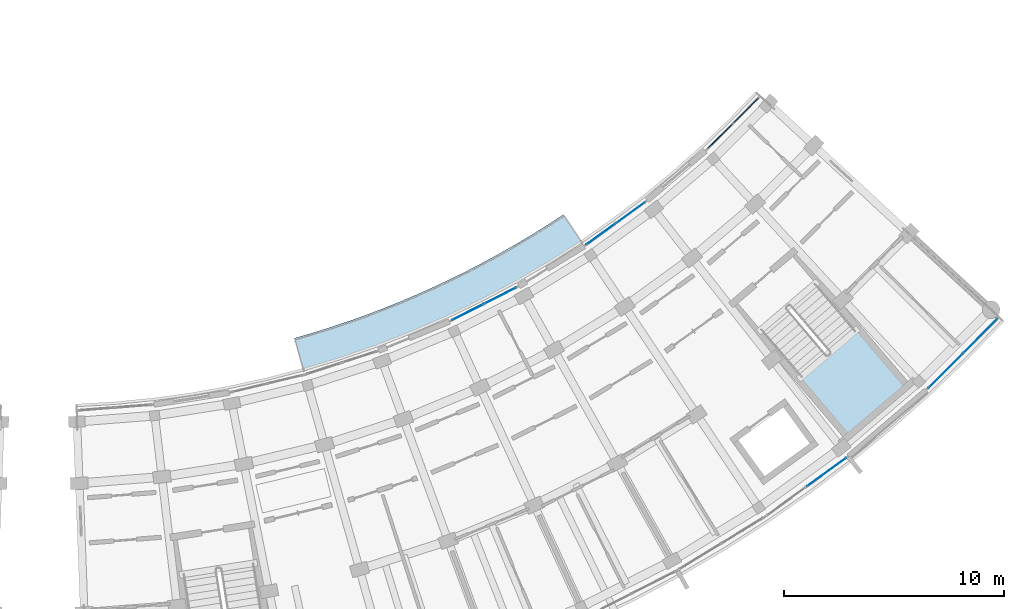
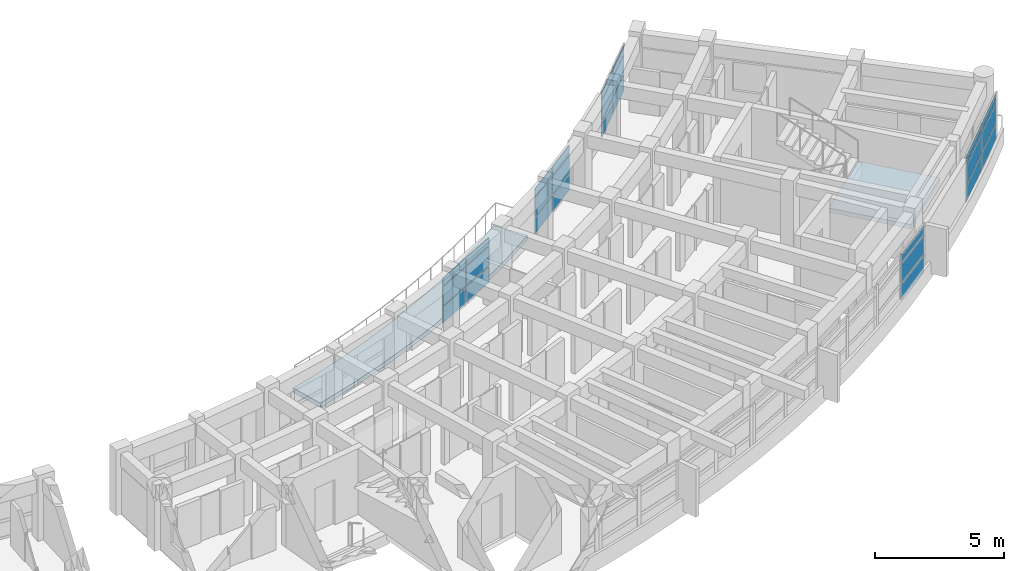
# One storey, part 26 of 56: 27 plates, 2 slabs, 6 elements without a shape of their own.
"""IFC4 building model written with IfcOpenShell, lengths in metres."""

from ifc_helpers import new_model, si_unit, direction, frame, origin, origin_2d, place, context, subcontext, project, spatial, polyline, rectangle, outline, extrude, material, layer, layer_set, type_object, element, aggregate, save


model = new_model("IFC4")

# Units and contexts
model_context = context("Model", 3, precision=1e-05, world=origin(), true_north=direction((0.0, 1.0)))
body_context = subcontext(model_context, "Body", "Model", "MODEL_VIEW")
ifc_project = project(units=[si_unit("LENGTHUNIT", "METRE"), si_unit("AREAUNIT", "SQUARE_METRE"), si_unit("VOLUMEUNIT", "CUBIC_METRE"), si_unit("PLANEANGLEUNIT", "RADIAN"), si_unit("MASSUNIT", "GRAM", prefix="KILO")], contexts=[model_context])

# Site, building, storey
site_placement = place(None, origin())
site = spatial("IfcSite", under=ifc_project, at=site_placement, CompositionType="ELEMENT")
building_placement = place(site_placement, origin())
building = spatial("IfcBuilding", under=site, at=building_placement, Name="Zimvara Arc Housing Community", CompositionType="ELEMENT")
storey_placement = place(building_placement, frame((0.0, 0.0, 17.39990234375)))
storey = spatial("IfcBuildingStorey", under=building, at=storey_placement, Name="L05", CompositionType="ELEMENT", Elevation=17.39990234375)

# Curtain wall, plates
ifc_material_1 = material(Name="Anodised Aluminium AW-6063", Category="aluminium")
curtain_wall_type_1 = type_object("IfcCurtainWallType", Name="CW-SYS-04", PredefinedType="USERDEFINED", material=ifc_material_1)
curtain_wall_1_placement = place(storey_placement, origin())
curtain_wall_1 = element("IfcCurtainWall", 1, at=curtain_wall_1_placement, inside=storey, type_object=curtain_wall_type_1, Name="cw:blkD:L05:in:b9", ObjectType="CURTAIN WALL", PredefinedType="USERDEFINED")
ifc_material_2 = material(Name="Pale-Gold Anodised Aluminium Spandrel Panel", Category="aluminium")
ifc_layer_1 = layer(ifc_material_2, 0.035888671875)
ifc_layer_set_1 = layer_set([ifc_layer_1], Name="Pale-Gold Anodised Aluminium Spandrel Panel")
plate_type_1 = type_object("IfcPlateType", Name="CWP-GLD-36", PredefinedType="CURTAIN_PANEL", material=ifc_layer_set_1)
plate_1_placement = place(storey_placement, frame((156.89208984375, 77.719482421875, 0.065185546875), z_axis=(0.0, 0.0, 1.0), x_axis=(0.707722730729, 0.706490294632, 0.0)))
plate_1 = element("IfcPlate", 2, at=plate_1_placement, type_object=plate_type_1, Name="CW04 panel 1.1", PredefinedType="CURTAIN_PANEL", context=body_context, shape_type="SweptSolid", body=[
    extrude(rectangle(XDim=1.59423828125, YDim=0.035888671875, at=origin_2d()), origin(), (0.0, 0.0, 1.0), 0.75244140625),
])
plate_2_placement = place(storey_placement, frame((156.89208984375, 77.719482421875, 0.8828125), z_axis=(0.0, 0.0, 1.0), x_axis=(0.707722730729, 0.706490294632, 0.0)))
plate_2 = element("IfcPlate", 3, at=plate_2_placement, type_object=plate_type_1, Name="CW04 panel 1.2", PredefinedType="CURTAIN_PANEL", context=body_context, shape_type="SweptSolid", body=[
    extrude(rectangle(XDim=1.59423828125, YDim=0.035888671875, at=origin_2d()), origin(), (0.0, 0.0, 1.0), 0.885009765625),
])
plate_3_placement = place(storey_placement, frame((156.89208984375, 77.719482421875, 1.83251953125), z_axis=(0.0, 0.0, 1.0), x_axis=(0.707722730729, 0.706490294632, 0.0)))
plate_3 = element("IfcPlate", 4, at=plate_3_placement, type_object=plate_type_1, Name="CW04 panel 1.3", PredefinedType="CURTAIN_PANEL", context=body_context, shape_type="SweptSolid", body=[
    extrude(rectangle(XDim=1.59423828125, YDim=0.035888671875, at=origin_2d()), origin(), (0.0, 0.0, 1.0), 0.3525390625),
])
plate_4_placement = place(storey_placement, frame((158.06640625, 78.891845703125, 0.065185546875), z_axis=(0.0, 0.0, 1.0), x_axis=(0.707722730729, 0.706490294632, 0.0)))
plate_4 = element("IfcPlate", 5, at=plate_4_placement, type_object=plate_type_1, Name="CW04 panel 2.1", PredefinedType="CURTAIN_PANEL", context=body_context, shape_type="SweptSolid", body=[
    extrude(rectangle(XDim=1.59423828125, YDim=0.035888671875, at=origin_2d()), origin(), (0.0, 0.0, 1.0), 0.75244140625),
])
plate_5_placement = place(storey_placement, frame((158.06640625, 78.891845703125, 0.8828125), z_axis=(0.0, 0.0, 1.0), x_axis=(0.707722730729, 0.706490294632, 0.0)))
plate_5 = element("IfcPlate", 6, at=plate_5_placement, type_object=plate_type_1, Name="CW04 panel 2.2", PredefinedType="CURTAIN_PANEL", context=body_context, shape_type="SweptSolid", body=[
    extrude(rectangle(XDim=1.59423828125, YDim=0.035888671875, at=origin_2d()), origin(), (0.0, 0.0, 1.0), 0.885009765625),
])
plate_6_placement = place(storey_placement, frame((158.06640625, 78.891845703125, 1.83251953125), z_axis=(0.0, 0.0, 1.0), x_axis=(0.707722730729, 0.706490294632, 0.0)))
plate_6 = element("IfcPlate", 7, at=plate_6_placement, type_object=plate_type_1, Name="CW04 panel 2.3", PredefinedType="CURTAIN_PANEL", context=body_context, shape_type="SweptSolid", body=[
    extrude(rectangle(XDim=1.59423828125, YDim=0.035888671875, at=origin_2d()), origin(), (0.0, 0.0, 1.0), 0.3525390625),
])
aggregate(curtain_wall_1, [plate_1, plate_2, plate_3, plate_4, plate_5, plate_6])

ifc_material_3 = material(Name="Anodised Aluminium AW-6063", Category="aluminium")
curtain_wall_type_2 = type_object("IfcCurtainWallType", Name="CW-SYS-01", PredefinedType="USERDEFINED", material=ifc_material_3)
curtain_wall_2_placement = place(storey_placement, origin())
curtain_wall_2 = element("IfcCurtainWall", 8, at=curtain_wall_2_placement, inside=storey, type_object=curtain_wall_type_2, Name="cw:blkD:L05:out:b7", ObjectType="CURTAIN WALL", PredefinedType="USERDEFINED")
ifc_material_4 = material(Name="Solar Control Low-E Double Glazing", Category="glass")
ifc_layer_2 = layer(ifc_material_4, 0.02392578125)
ifc_layer_set_2 = layer_set([ifc_layer_2], Name="Solar Control Low-E Double Glazing")
plate_type_2 = type_object("IfcPlateType", Name="CWP-GLZ-24", PredefinedType="CURTAIN_PANEL", material=ifc_layer_set_2)
plate_7_placement = place(storey_placement, frame((161.719970703125, 62.484375, 0.065185546875), z_axis=(0.0, 0.0, 1.0), x_axis=(0.809530431263, 0.587077917196, 0.0)))
plate_7 = element("IfcPlate", 9, at=plate_7_placement, type_object=plate_type_2, Name="CW01 panel 2.1", PredefinedType="CURTAIN_PANEL", context=body_context, shape_type="SweptSolid", body=[
    extrude(rectangle(XDim=2.173828125, YDim=0.02392578125, at=origin_2d()), origin(), (0.0, 0.0, 1.0), 0.75244140625),
])
plate_8_placement = place(storey_placement, frame((161.719970703125, 62.484375, 0.8828125), z_axis=(0.0, 0.0, 1.0), x_axis=(0.809530431263, 0.587077917196, 0.0)))
plate_8 = element("IfcPlate", 10, at=plate_8_placement, type_object=plate_type_2, Name="CW01 panel 2.2", PredefinedType="CURTAIN_PANEL", context=body_context, shape_type="SweptSolid", body=[
    extrude(rectangle(XDim=2.173828125, YDim=0.02392578125, at=origin_2d()), origin(), (0.0, 0.0, 1.0), 0.885009765625),
])
plate_9_placement = place(storey_placement, frame((161.719970703125, 62.484375, 1.83251953125), z_axis=(0.0, 0.0, 1.0), x_axis=(0.809530431263, 0.587077917196, 0.0)))
plate_9 = element("IfcPlate", 11, at=plate_9_placement, type_object=plate_type_2, Name="CW01 panel 2.3", PredefinedType="CURTAIN_PANEL", context=body_context, shape_type="SweptSolid", body=[
    extrude(rectangle(XDim=2.173828125, YDim=0.02392578125, at=origin_2d()), origin(), (0.0, 0.0, 1.0), 0.3525390625),
])
aggregate(curtain_wall_2, [plate_7, plate_8, plate_9])

ifc_material_5 = material(Name="Anodised Aluminium AW-6063", Category="aluminium")
curtain_wall_type_3 = type_object("IfcCurtainWallType", Name="CW-SYS-02", PredefinedType="USERDEFINED", material=ifc_material_5)
curtain_wall_3_placement = place(storey_placement, origin())
curtain_wall_3 = element("IfcCurtainWall", 12, at=curtain_wall_3_placement, inside=storey, type_object=curtain_wall_type_3, Name="cw:blkD:L05:in:b7", ObjectType="CURTAIN WALL", PredefinedType="USERDEFINED")
ifc_material_6 = material(Name="Solar Control Low-E Double Glazing", Category="glass")
ifc_layer_3 = layer(ifc_material_6, 0.028076171875)
ifc_layer_set_3 = layer_set([ifc_layer_3], Name="Solar Control Low-E Double Glazing")
plate_type_3 = type_object("IfcPlateType", Name="CWP-GLZ-28", PredefinedType="CURTAIN_PANEL", material=ifc_layer_set_3)
plate_10_placement = place(storey_placement, frame((151.483642578125, 73.279541015625, 0.065185546875), z_axis=(0.0, 0.0, 1.0), x_axis=(0.809529396709, 0.587079343755, 0.0)))
plate_10 = element("IfcPlate", 13, at=plate_10_placement, type_object=plate_type_3, Name="CW02 panel 1.1", PredefinedType="CURTAIN_PANEL", context=body_context, shape_type="SweptSolid", body=[
    extrude(rectangle(XDim=1.59423828125, YDim=0.028076171875, at=origin_2d()), origin(), (0.0, 0.0, 1.0), 0.75244140625),
])
plate_11_placement = place(storey_placement, frame((151.483642578125, 73.279541015625, 0.8828125), z_axis=(0.0, 0.0, 1.0), x_axis=(0.809529396709, 0.587079343755, 0.0)))
plate_11 = element("IfcPlate", 14, at=plate_11_placement, type_object=plate_type_3, Name="CW02 panel 1.2", PredefinedType="CURTAIN_PANEL", context=body_context, shape_type="SweptSolid", body=[
    extrude(rectangle(XDim=1.59423828125, YDim=0.028076171875, at=origin_2d()), origin(), (0.0, 0.0, 1.0), 0.885009765625),
])
plate_12_placement = place(storey_placement, frame((151.483642578125, 73.279541015625, 1.83251953125), z_axis=(0.0, 0.0, 1.0), x_axis=(0.809529396709, 0.587079343755, 0.0)))
plate_12 = element("IfcPlate", 15, at=plate_12_placement, type_object=plate_type_3, Name="CW02 panel 1.3", PredefinedType="CURTAIN_PANEL", context=body_context, shape_type="SweptSolid", body=[
    extrude(rectangle(XDim=1.59423828125, YDim=0.028076171875, at=origin_2d()), origin(), (0.0, 0.0, 1.0), 0.3525390625),
])
plate_13_placement = place(storey_placement, frame((152.826904296875, 74.253662109375, 0.065185546875), z_axis=(0.0, 0.0, 1.0), x_axis=(0.809529396709, 0.587079343755, 0.0)))
plate_13 = element("IfcPlate", 16, at=plate_13_placement, type_object=plate_type_3, Name="CW02 panel 2.1", PredefinedType="CURTAIN_PANEL", context=body_context, shape_type="SweptSolid", body=[
    extrude(rectangle(XDim=1.59423828125, YDim=0.028076171875, at=origin_2d()), origin(), (0.0, 0.0, 1.0), 0.75244140625),
])
plate_14_placement = place(storey_placement, frame((152.826904296875, 74.253662109375, 0.8828125), z_axis=(0.0, 0.0, 1.0), x_axis=(0.809529396709, 0.587079343755, 0.0)))
plate_14 = element("IfcPlate", 17, at=plate_14_placement, type_object=plate_type_3, Name="CW02 panel 2.2", PredefinedType="CURTAIN_PANEL", context=body_context, shape_type="SweptSolid", body=[
    extrude(rectangle(XDim=1.59423828125, YDim=0.028076171875, at=origin_2d()), origin(), (0.0, 0.0, 1.0), 0.885009765625),
])
plate_15_placement = place(storey_placement, frame((152.826904296875, 74.253662109375, 1.83251953125), z_axis=(0.0, 0.0, 1.0), x_axis=(0.809529396709, 0.587079343755, 0.0)))
plate_15 = element("IfcPlate", 18, at=plate_15_placement, type_object=plate_type_3, Name="CW02 panel 2.3", PredefinedType="CURTAIN_PANEL", context=body_context, shape_type="SweptSolid", body=[
    extrude(rectangle(XDim=1.59423828125, YDim=0.028076171875, at=origin_2d()), origin(), (0.0, 0.0, 1.0), 0.3525390625),
])
aggregate(curtain_wall_3, [plate_10, plate_11, plate_12, plate_13, plate_14, plate_15])

ifc_material_7 = material(Name="Anodised Aluminium AW-6063", Category="aluminium")
curtain_wall_type_4 = type_object("IfcCurtainWallType", Name="CW-SYS-07", PredefinedType="USERDEFINED", material=ifc_material_7)
curtain_wall_4_placement = place(storey_placement, origin())
curtain_wall_4 = element("IfcCurtainWall", 19, at=curtain_wall_4_placement, inside=storey, type_object=curtain_wall_type_4, Name="cw:blkD:L05:in:b5", ObjectType="CURTAIN WALL", PredefinedType="USERDEFINED")
ifc_material_8 = material(Name="Acoustic Laminated Solar Glazing", Category="glass")
ifc_layer_4 = layer(ifc_material_8, 0.031982421875)
ifc_layer_set_4 = layer_set([ifc_layer_4], Name="Acoustic Laminated Solar Glazing")
plate_type_4 = type_object("IfcPlateType", Name="CWP-GLZ-32", PredefinedType="CURTAIN_PANEL", material=ifc_layer_set_4)
plate_16_placement = place(storey_placement, frame((145.447265625, 69.740234375, 0.065185546875), z_axis=(0.0, 0.0, 1.0), x_axis=(0.89140306074, 0.453211411267, 0.0)))
plate_16 = element("IfcPlate", 20, at=plate_16_placement, type_object=plate_type_4, Name="CW07 panel 1.1", PredefinedType="CURTAIN_PANEL", context=body_context, shape_type="SweptSolid", body=[
    extrude(rectangle(XDim=1.59423828125, YDim=0.031982421875, at=origin_2d()), origin(), (0.0, 0.0, 1.0), 0.75244140625),
])
plate_17_placement = place(storey_placement, frame((145.447265625, 69.740234375, 0.8828125), z_axis=(0.0, 0.0, 1.0), x_axis=(0.89140306074, 0.453211411267, 0.0)))
plate_17 = element("IfcPlate", 21, at=plate_17_placement, type_object=plate_type_4, Name="CW07 panel 1.2", PredefinedType="CURTAIN_PANEL", context=body_context, shape_type="SweptSolid", body=[
    extrude(rectangle(XDim=1.59423828125, YDim=0.031982421875, at=origin_2d()), origin(), (0.0, 0.0, 1.0), 0.885009765625),
])
plate_18_placement = place(storey_placement, frame((145.447265625, 69.740234375, 1.83251953125), z_axis=(0.0, 0.0, 1.0), x_axis=(0.89140306074, 0.453211411267, 0.0)))
plate_18 = element("IfcPlate", 22, at=plate_18_placement, type_object=plate_type_4, Name="CW07 panel 1.3", PredefinedType="CURTAIN_PANEL", context=body_context, shape_type="SweptSolid", body=[
    extrude(rectangle(XDim=1.59423828125, YDim=0.031982421875, at=origin_2d()), origin(), (0.0, 0.0, 1.0), 0.3525390625),
])
plate_19_placement = place(storey_placement, frame((146.92626953125, 70.4921875, 0.065185546875), z_axis=(0.0, 0.0, 1.0), x_axis=(0.89140306074, 0.453211411267, 0.0)))
plate_19 = element("IfcPlate", 23, at=plate_19_placement, type_object=plate_type_4, Name="CW07 panel 2.1", PredefinedType="CURTAIN_PANEL", context=body_context, shape_type="SweptSolid", body=[
    extrude(rectangle(XDim=1.59423828125, YDim=0.031982421875, at=origin_2d()), origin(), (0.0, 0.0, 1.0), 0.75244140625),
])
plate_20_placement = place(storey_placement, frame((146.92626953125, 70.4921875, 0.8828125), z_axis=(0.0, 0.0, 1.0), x_axis=(0.89140306074, 0.453211411267, 0.0)))
plate_20 = element("IfcPlate", 24, at=plate_20_placement, type_object=plate_type_4, Name="CW07 panel 2.2", PredefinedType="CURTAIN_PANEL", context=body_context, shape_type="SweptSolid", body=[
    extrude(rectangle(XDim=1.59423828125, YDim=0.031982421875, at=origin_2d()), origin(), (0.0, 0.0, 1.0), 0.885009765625),
])
plate_21_placement = place(storey_placement, frame((146.92626953125, 70.4921875, 1.83251953125), z_axis=(0.0, 0.0, 1.0), x_axis=(0.89140306074, 0.453211411267, 0.0)))
plate_21 = element("IfcPlate", 25, at=plate_21_placement, type_object=plate_type_4, Name="CW07 panel 2.3", PredefinedType="CURTAIN_PANEL", context=body_context, shape_type="SweptSolid", body=[
    extrude(rectangle(XDim=1.59423828125, YDim=0.031982421875, at=origin_2d()), origin(), (0.0, 0.0, 1.0), 0.3525390625),
])
aggregate(curtain_wall_4, [plate_16, plate_17, plate_18, plate_19, plate_20, plate_21])

ifc_material_9 = material(Name="Anodised Aluminium AW-6063", Category="aluminium")
curtain_wall_type_5 = type_object("IfcCurtainWallType", Name="CW-SYS-03", PredefinedType="USERDEFINED", material=ifc_material_9)
curtain_wall_5_placement = place(storey_placement, origin())
curtain_wall_5 = element("IfcCurtainWall", 26, at=curtain_wall_5_placement, inside=storey, type_object=curtain_wall_type_5, Name="cw:blkD:L05:out:b9", ObjectType="CURTAIN WALL", PredefinedType="USERDEFINED")
plate_22_placement = place(storey_placement, frame((167.106689453125, 67.076904296875, 0.065185546875), z_axis=(0.0, 0.0, 1.0), x_axis=(0.707724012233, 0.706489010891, 0.0)))
plate_22 = element("IfcPlate", 27, at=plate_22_placement, type_object=plate_type_4, Name="CW03 panel 1.1", PredefinedType="CURTAIN_PANEL", context=body_context, shape_type="SweptSolid", body=[
    extrude(rectangle(XDim=2.173828125, YDim=0.031982421875, at=origin_2d()), origin(), (0.0, 0.0, 1.0), 0.75244140625),
])
plate_23_placement = place(storey_placement, frame((167.106689453125, 67.076904296875, 0.8828125), z_axis=(0.0, 0.0, 1.0), x_axis=(0.707724012233, 0.706489010891, 0.0)))
plate_23 = element("IfcPlate", 28, at=plate_23_placement, type_object=plate_type_4, Name="CW03 panel 1.2", PredefinedType="CURTAIN_PANEL", context=body_context, shape_type="SweptSolid", body=[
    extrude(rectangle(XDim=2.173828125, YDim=0.031982421875, at=origin_2d()), origin(), (0.0, 0.0, 1.0), 0.885009765625),
])
plate_24_placement = place(storey_placement, frame((167.106689453125, 67.076904296875, 1.83251953125), z_axis=(0.0, 0.0, 1.0), x_axis=(0.707724012233, 0.706489010891, 0.0)))
plate_24 = element("IfcPlate", 29, at=plate_24_placement, type_object=plate_type_4, Name="CW03 panel 1.3", PredefinedType="CURTAIN_PANEL", context=body_context, shape_type="SweptSolid", body=[
    extrude(rectangle(XDim=2.173828125, YDim=0.031982421875, at=origin_2d()), origin(), (0.0, 0.0, 1.0), 0.3525390625),
])
plate_25_placement = place(storey_placement, frame((168.691162109375, 68.65869140625, 0.065185546875), z_axis=(0.0, 0.0, 1.0), x_axis=(0.707724012233, 0.706489010891, 0.0)))
plate_25 = element("IfcPlate", 30, at=plate_25_placement, type_object=plate_type_4, Name="CW03 panel 2.1", PredefinedType="CURTAIN_PANEL", context=body_context, shape_type="SweptSolid", body=[
    extrude(rectangle(XDim=2.173828125, YDim=0.031982421875, at=origin_2d()), origin(), (0.0, 0.0, 1.0), 0.75244140625),
])
plate_26_placement = place(storey_placement, frame((168.691162109375, 68.65869140625, 0.8828125), z_axis=(0.0, 0.0, 1.0), x_axis=(0.707724012233, 0.706489010891, 0.0)))
plate_26 = element("IfcPlate", 31, at=plate_26_placement, type_object=plate_type_4, Name="CW03 panel 2.2", PredefinedType="CURTAIN_PANEL", context=body_context, shape_type="SweptSolid", body=[
    extrude(rectangle(XDim=2.173828125, YDim=0.031982421875, at=origin_2d()), origin(), (0.0, 0.0, 1.0), 0.885009765625),
])
plate_27_placement = place(storey_placement, frame((168.691162109375, 68.65869140625, 1.83251953125), z_axis=(0.0, 0.0, 1.0), x_axis=(0.707724012233, 0.706489010891, 0.0)))
plate_27 = element("IfcPlate", 32, at=plate_27_placement, type_object=plate_type_4, Name="CW03 panel 2.3", PredefinedType="CURTAIN_PANEL", context=body_context, shape_type="SweptSolid", body=[
    extrude(rectangle(XDim=2.173828125, YDim=0.031982421875, at=origin_2d()), origin(), (0.0, 0.0, 1.0), 0.3525390625),
])
aggregate(curtain_wall_5, [plate_22, plate_23, plate_24, plate_25, plate_26, plate_27])

# Stair, slab
ifc_material_10 = material(Name="Concrete C35/45", Category="concrete")
stair_type = type_object("IfcStairType", Name="STR-DL-312-310", PredefinedType="HALF_TURN_STAIR", material=ifc_material_10)
stair_placement = place(storey_placement, origin())
stair = element("IfcStair", 33, at=stair_placement, inside=storey, type_object=stair_type, Name="L05 Block D Exit Stair 2", PredefinedType="HALF_TURN_STAIR")
ifc_material_11 = material(Name="Concrete C35/45", Category="concrete")
ifc_layer_5 = layer(ifc_material_11, 0.199951171875)
ifc_layer_set_5 = layer_set([ifc_layer_5], Name="Concrete C35/45")
slab_type_1 = type_object("IfcSlabType", Name="SLB-STAIR-LND-200", PredefinedType="LANDING", material=ifc_layer_set_5)
slab_1_placement = place(storey_placement, frame((0.0, 0.0, 1.35009765625)))
slab_1 = element("IfcSlab", 34, at=slab_1_placement, type_object=slab_type_1, Name="ST-D2 landing 1", PredefinedType="LANDING", context=body_context, shape_type="SweptSolid", body=[
    extrude(outline(polyline([(160.49365234375, 66.788818359375), (162.681396484375, 64.22265625), (165.23828125, 66.402587890625), (163.050537109375, 68.96875), (160.49365234375, 66.788818359375)])), origin(), (0.0, 0.0, 1.0), 0.199951171875),
])
aggregate(stair, [slab_1])

# Slab
ifc_material_12 = material(Name="Concrete C35/45", Category="concrete")
ifc_layer_6 = layer(ifc_material_12, 0.2099609375)
ifc_layer_set_6 = layer_set([ifc_layer_6], Name="Concrete C35/45")
slab_type_2 = type_object("IfcSlabType", Name="SLB-TER-210", PredefinedType="FLOOR", material=ifc_layer_set_6)
slab_2_placement = place(storey_placement, frame((0.0, 0.0, -0.2099609375)))
element("IfcSlab", 35, at=slab_2_placement, inside=storey, type_object=slab_type_2, Name="slab:blkD:L05:bal_in", PredefinedType="FLOOR", context=body_context, shape_type="SweptSolid", body=[
    extrude(outline(polyline([(137.986572265625, 67.145263671875), (137.986572265625, 67.145263671875), (139.654296875, 67.649658203125), (141.30078125, 68.218994140625), (142.923828125, 68.852783203125), (144.520751953125, 69.549560546875), (146.089111328125, 70.30859375), (147.626220703125, 71.12841796875), (149.130126953125, 72.008056640625), (150.598388671875, 72.9462890625), (149.78271484375, 74.169189453125), (149.077392578125, 73.708740234375), (148.36328125, 73.26220703125), (147.640380859375, 72.829833984375), (146.9091796875, 72.41162109375), (146.169921875, 72.008056640625), (145.4228515625, 71.618896484375), (144.668212890625, 71.244384765625), (143.906494140625, 70.885009765625), (143.137939453125, 70.54052734375), (142.362548828125, 70.211181640625), (141.580810546875, 69.897216796875), (140.793212890625, 69.5986328125), (140.0, 69.315673828125), (139.201171875, 69.048095703125), (138.3974609375, 68.79638671875), (137.5888671875, 68.560546875), (137.986572265625, 67.145263671875)])), origin(), (0.0, 0.0, 1.0), 0.2099609375),
])

save(model, "model.ifc")
